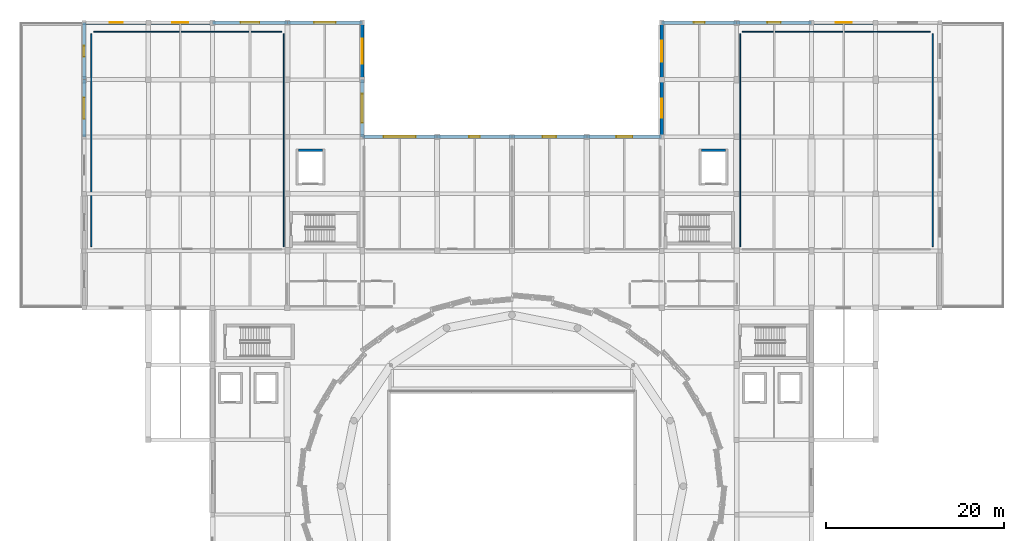
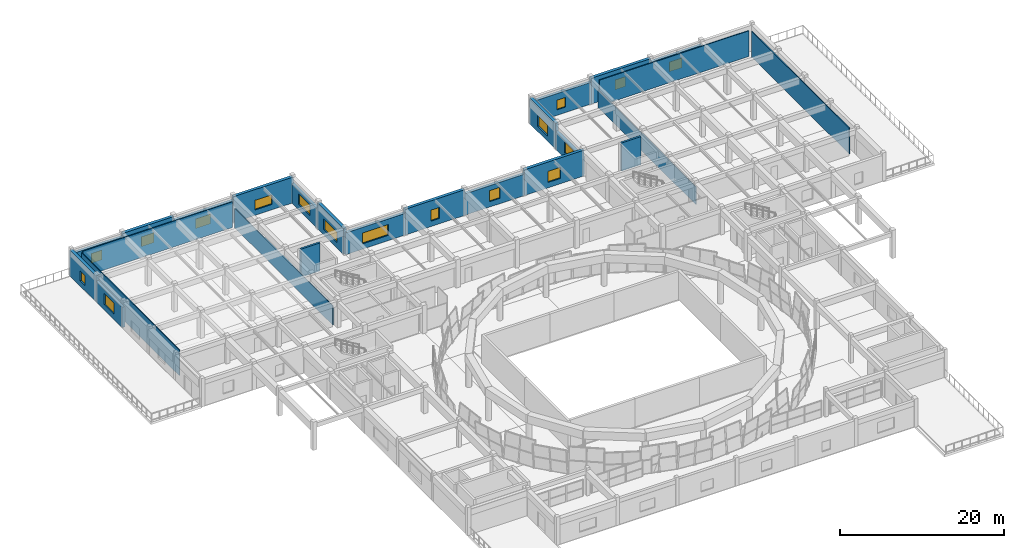
# One storey, part 32 of 40: 25 walls, 17 windows, 17 openings.
"""IFC4 building model written with IfcOpenShell, lengths in metres."""

import ifcopenshell
import ifcopenshell.guid

model = None  # the IFC model being written
_history = None  # IfcOwnerHistory: only IFC2X3 demands one
_inside = {}  # id of a spatial element -> (the spatial element, [elements in it])
_under = {}  # id of a project, library or spatial element -> (it, [spatial elements below it])
_declared = {}  # id of a project -> (the project, [libraries it declares])
_typed = {}  # id of a type object -> (the type object, [elements of that type])
_made_of = {}  # id of a material, layer set ... -> (it, [elements and type objects made of it])


def new_model(schema):
    """Start an empty IFC model of exactly this schema.

    Asked for "IFC4X3", IfcOpenShell would pick the latest addendum, in which some entities
    have other attributes; the version numbers below select the first issue.
    IFC2X3 requires an IfcOwnerHistory on every rooted entity: one is made here for all.
    """
    global model, _history
    if schema == "IFC4X3":
        model = ifcopenshell.file(schema_version=(4, 3, 0, 0))
    else:
        model = ifcopenshell.file(schema=schema)
    _inside.clear()
    _under.clear()
    _declared.clear()
    _typed.clear()
    _made_of.clear()
    _history = None
    if model.schema == "IFC2X3":
        org = make("IfcOrganization", Name="unknown")
        user = make(
            "IfcPersonAndOrganization",
            ThePerson=make("IfcPerson", FamilyName="unknown"),
            TheOrganization=org,
        )
        app = make(
            "IfcApplication",
            ApplicationDeveloper=org,
            Version="unknown",
            ApplicationFullName="unknown",
            ApplicationIdentifier="unknown",
        )
        _history = make(
            "IfcOwnerHistory",
            OwningUser=user,
            OwningApplication=app,
            ChangeAction="ADDED",
            CreationDate=0,
        )
    return model


def make(cls, **values):
    """One entity of the class cls with the attributes given. An attribute that is None is left unset."""
    return model.create_entity(
        cls, **{name: value for name, value in values.items() if value is not None}
    )


def rooted(cls, **values):
    """An entity with a GlobalId (a new one), such as an element, a storey or a relation."""
    return make(cls, GlobalId=ifcopenshell.guid.new(), OwnerHistory=_history, **values)


def si_unit(unit_type, name, prefix=None):
    """IfcSIUnit, for example si_unit("LENGTHUNIT", "METRE", prefix="MILLI")."""
    return make("IfcSIUnit", UnitType=unit_type, Prefix=prefix, Name=name)


def assignment(units):
    """IfcUnitAssignment: the units of a project."""
    return None if units is None else make("IfcUnitAssignment", Units=units)


def point(xyz):
    """IfcCartesianPoint."""
    return None if xyz is None else make("IfcCartesianPoint", Coordinates=xyz)


def direction(xyz):
    """IfcDirection."""
    return None if xyz is None else make("IfcDirection", DirectionRatios=xyz)


def frame(location, z_axis=None, x_axis=None):
    """IfcAxis2Placement3D, a coordinate frame: its origin and axes. An axis left out is left unset."""
    return make(
        "IfcAxis2Placement3D",
        Location=point(location),
        Axis=direction(z_axis),
        RefDirection=direction(x_axis),
    )


def frame_2d(location, x_axis=None):
    """IfcAxis2Placement2D, a coordinate frame in the plane: its origin and x axis."""
    return make(
        "IfcAxis2Placement2D", Location=point(location), RefDirection=direction(x_axis)
    )


def origin():
    """The frame at (0, 0, 0) with its axes left unset."""
    return frame((0.0, 0.0, 0.0))


def place(relative_to, where):
    """IfcLocalPlacement: puts the frame where relative to a parent placement (None: the world)."""
    return make(
        "IfcLocalPlacement", PlacementRelTo=relative_to, RelativePlacement=where
    )


def context(
    kind, dimensions, precision=None, world=None, true_north=None, identifier=None
):
    """IfcGeometricRepresentationContext, for example the 3D "Model" context."""
    return make(
        "IfcGeometricRepresentationContext",
        ContextIdentifier=identifier,
        ContextType=kind,
        CoordinateSpaceDimension=dimensions,
        Precision=precision,
        WorldCoordinateSystem=world,
        TrueNorth=true_north,
    )


def subcontext(parent, identifier, kind, view, scale=None):
    """IfcGeometricRepresentationSubContext, for example "Body" below "Model"."""
    return make(
        "IfcGeometricRepresentationSubContext",
        ContextIdentifier=identifier,
        ContextType=kind,
        ParentContext=parent,
        TargetScale=scale,
        TargetView=view,
    )


def project(units=None, contexts=None):
    """IfcProject with its units and contexts."""
    return rooted(
        "IfcProject",
        Name="project",
        RepresentationContexts=contexts,
        UnitsInContext=assignment(units),
    )


def spatial(cls, under=None, at=None, **own):
    """A site, building, storey or space (cls), placed at a placement, below another one or the project."""
    s = rooted(cls, ObjectPlacement=at, **own)
    if under is not None:
        _under.setdefault(under.id(), (under, []))[1].append(s)
    return s


def profile(cls, at=None, kind="AREA", **sizes):
    """A parametric profile (cls). Its sizes go by their IFC names, for example OverallWidth=200.0."""
    return make(cls, ProfileType=kind, Position=at, **sizes)


def rectangle(**sizes):
    """IfcRectangleProfileDef."""
    return profile("IfcRectangleProfileDef", **sizes)


def extrude(swept, where, along, depth):
    """IfcExtrudedAreaSolid: the profile swept, set in the frame where, extruded along a direction by depth."""
    return make(
        "IfcExtrudedAreaSolid",
        SweptArea=swept,
        Position=where,
        ExtrudedDirection=direction(along),
        Depth=depth,
    )


def shape(context_of_items, identifier, shape_type, items):
    """IfcShapeRepresentation: the items that make up one representation, for example the "Body"."""
    return make(
        "IfcShapeRepresentation",
        ContextOfItems=context_of_items,
        RepresentationIdentifier=identifier,
        RepresentationType=shape_type,
        Items=items,
    )


def material(Name=None, Category=None):
    """IfcMaterial."""
    return make("IfcMaterial", Name=Name, Category=Category)


def layer(
    of_material, thickness, ventilated=None, Name=None, Category=None, Priority=None
):
    """IfcMaterialLayer: one layer of a wall or slab, of a material (None: an air gap)."""
    return make(
        "IfcMaterialLayer",
        Material=of_material,
        LayerThickness=thickness,
        IsVentilated=ventilated,
        Name=Name,
        Category=Category,
        Priority=Priority,
    )


def layer_set(layers, Name=None):
    """IfcMaterialLayerSet."""
    return make("IfcMaterialLayerSet", MaterialLayers=layers, LayerSetName=Name)


def made_of(thing, what):
    """Note that an element or type object is made of a material, layer set ...; save() writes the relation."""
    if what is not None:
        _made_of.setdefault(what.id(), (what, []))[1].append(thing)
    return thing


def type_object(cls, material=None, **own):
    """A type object (cls), such as IfcWallType, which elements share."""
    return made_of(rooted(cls, **own), material)


def element(
    cls,
    number,
    at=None,
    inside=None,
    cuts=None,
    type_object=None,
    material=None,
    context=None,
    identifier="Body",
    shape_type=None,
    held_by="IfcProductDefinitionShape",
    body=None,
    shapes=None,
    **own,
):
    """One element of the class cls, such as IfcWall. Its Tag is "e" and its number.

    at: its placement. inside: the storey or other place that contains it. cuts: it is an
    opening in that element (IfcRelVoidsElement). A single representation is given by context,
    identifier, shape_type and body (its items); several are given by shapes. held_by: the class
    of the entity that holds the representations. save() writes the other relations.
    """
    e = rooted(cls, Tag="e%d" % number, ObjectPlacement=at, **own)
    if body is not None:
        shapes = [shape(context, identifier, shape_type, body)]
    if shapes is not None:
        e.Representation = make(held_by, Representations=shapes)
    if inside is not None:
        _inside.setdefault(inside.id(), (inside, []))[1].append(e)
    if cuts is not None:
        rooted(
            "IfcRelVoidsElement", RelatingBuildingElement=cuts, RelatedOpeningElement=e
        )
    if type_object is not None:
        _typed.setdefault(type_object.id(), (type_object, []))[1].append(e)
    return made_of(e, material)


def fill(opening, filler):
    """IfcRelFillsElement: the door or window that sits in an opening."""
    return rooted(
        "IfcRelFillsElement",
        RelatingOpeningElement=opening,
        RelatedBuildingElement=filler,
    )


def aggregate(whole, parts):
    """IfcRelAggregates: a whole, such as a stair, and the parts it consists of."""
    return rooted("IfcRelAggregates", RelatingObject=whole, RelatedObjects=parts)


def save(model, path):
    """Write the relations noted so far, then the file.

    IfcRelAggregates (storeys below a building ...), IfcRelContainedInSpatialStructure (elements
    in a storey), IfcRelDefinesByType, IfcRelAssociatesMaterial and IfcRelDeclares: one each for
    every whole, place, type object, material and project.
    """
    for whole, parts in _under.values():
        aggregate(whole, parts)
    for where, things in _inside.values():
        rooted(
            "IfcRelContainedInSpatialStructure",
            RelatedElements=things,
            RelatingStructure=where,
        )
    for kind, things in _typed.values():
        rooted("IfcRelDefinesByType", RelatedObjects=things, RelatingType=kind)
    for what, things in _made_of.values():
        rooted("IfcRelAssociatesMaterial", RelatedObjects=things, RelatingMaterial=what)
    for by, libraries in _declared.values():
        rooted("IfcRelDeclares", RelatingContext=by, RelatedDefinitions=libraries)
    model.write(path)


model = new_model("IFC4")

# Units and contexts
model_context = context("Model", 3, precision=1e-05, world=origin(), true_north=direction((0.0, 1.0)))
body_context = subcontext(model_context, "Body", "Model", "MODEL_VIEW")
ifc_project = project(units=[si_unit("LENGTHUNIT", "METRE"), si_unit("AREAUNIT", "SQUARE_METRE"), si_unit("VOLUMEUNIT", "CUBIC_METRE"), si_unit("PLANEANGLEUNIT", "RADIAN"), si_unit("MASSUNIT", "GRAM", prefix="KILO")], contexts=[model_context])

# Site, building, storey
site_placement = place(None, origin())
site = spatial("IfcSite", under=ifc_project, at=site_placement, CompositionType="ELEMENT")
building_placement = place(site_placement, origin())
building = spatial("IfcBuilding", under=site, at=building_placement, Name="Korsvaeld Concert Hall", CompositionType="ELEMENT")
storey_placement = place(building_placement, frame((0.0, 0.0, 13.199951171875)))
storey = spatial("IfcBuildingStorey", under=building, at=storey_placement, Name="L03", CompositionType="ELEMENT", Elevation=13.199951171875)

# Wall, opening, window
ifc_material_1 = material(Name="Obernkirchener buff sandstone rainscreen on Concrete C35/45", Category="masonry")
ifc_layer_1 = layer(ifc_material_1, 0.389892578125)
ifc_layer_set_1 = layer_set([ifc_layer_1], Name="Obernkirchener buff sandstone rainscreen on Concrete C35/45")
wall_type_1 = type_object("IfcWallType", Name="WL-EXT-BUFF-390", PredefinedType="STANDARD", material=ifc_layer_set_1)
wall_1_placement = place(storey_placement, frame((36.0, 102.39990234375, 0.0), z_axis=(0.0, 0.0, 1.0), x_axis=(0.0, 1.0, 0.0)))
wall_1 = element("IfcWall", 1, at=wall_1_placement, inside=storey, type_object=wall_type_1, Name="Exterior sandstone wall L03-295", PredefinedType="STANDARD", context=body_context, shape_type="SweptSolid", body=[
    extrude(rectangle(XDim=6.400146484375, YDim=0.389892578125, at=frame_2d((3.2001953125, 0.0))), origin(), (0.0, 0.0, 1.0), 3.0400390625),
])
opening_1_placement = place(wall_1_placement, frame((2.0, 0.0, 0.800048828125)))
opening_1 = element("IfcOpeningElement", 2, at=opening_1_placement, cuts=wall_1, Name="Opening WN-05", PredefinedType="OPENING", context=body_context, shape_type="SweptSolid", body=[
    extrude(rectangle(XDim=2.39990234375, YDim=1.64990234375, at=frame_2d((1.199951171875, 0.824951171875))), frame((0.0, 0.205078125, 0.0), z_axis=(0.0, -1.0, 0.0), x_axis=(1.0, 0.0, 0.0)), (0.0, 0.0, 1.0), 0.409912109375),
])
ifc_material_2 = material(Name="Anodised bronze frame with acoustic triple glazing", Category="glass")
window_type_1 = type_object("IfcWindowType", Name="WIN-AC-240x165", PartitioningType="TRIPLE_PANEL_VERTICAL", PredefinedType="WINDOW", material=ifc_material_2)
window_1_placement = place(opening_1_placement, origin())
window_1 = element("IfcWindow", 3, at=window_1_placement, inside=storey, type_object=window_type_1, Name="Acoustic triple-glazed window L03-190", OverallHeight=1.64990234375, OverallWidth=2.39990234375, PartitioningType="TRIPLE_PANEL_VERTICAL", PredefinedType="WINDOW", context=body_context, shape_type="SweptSolid", body=[
    extrude(rectangle(XDim=2.39990234375, YDim=1.64990234375, at=frame_2d((1.199951171875, 0.824951171875))), frame((0.0, 0.030029296875, 0.0), z_axis=(0.0, -1.0, 0.0), x_axis=(1.0, 0.0, 0.0)), (0.0, 0.0, 1.0), 0.06005859375),
])
fill(opening_1, window_1)

wall_2_placement = place(storey_placement, frame((36.0, 115.199951171875, 0.0), z_axis=(0.0, 0.0, 1.0), x_axis=(1.0, 0.0, 0.0)))
wall_2 = element("IfcWall", 4, at=wall_2_placement, inside=storey, type_object=wall_type_1, Name="Exterior sandstone wall L03-297", PredefinedType="STANDARD", context=body_context, shape_type="SweptSolid", body=[
    extrude(rectangle(XDim=7.199951171875, YDim=0.389892578125, at=frame_2d((3.60009765625, 0.0))), origin(), (0.0, 0.0, 1.0), 3.2900390625),
])
opening_2_placement = place(wall_2_placement, frame((2.85009765625, 0.0, 0.800048828125)))
opening_2 = element("IfcOpeningElement", 5, at=opening_2_placement, cuts=wall_2, Name="Opening WN-07", PredefinedType="OPENING", context=body_context, shape_type="SweptSolid", body=[
    extrude(rectangle(XDim=1.5, YDim=1.449951171875, at=frame_2d((0.75, 0.72509765625))), frame((0.0, 0.205078125, 0.0), z_axis=(0.0, -1.0, 0.0), x_axis=(1.0, 0.0, 0.0)), (0.0, 0.0, 1.0), 0.409912109375),
])
window_type_2 = type_object("IfcWindowType", Name="WIN-AC-150x145", PartitioningType="SINGLE_PANEL", PredefinedType="WINDOW", material=ifc_material_2)
window_2_placement = place(opening_2_placement, origin())
window_2 = element("IfcWindow", 6, at=window_2_placement, inside=storey, type_object=window_type_2, Name="Acoustic triple-glazed window L03-192", OverallHeight=1.449951171875, OverallWidth=1.5, PartitioningType="SINGLE_PANEL", PredefinedType="WINDOW", context=body_context, shape_type="SweptSolid", body=[
    extrude(rectangle(XDim=1.5, YDim=1.449951171875, at=frame_2d((0.75, 0.72509765625))), frame((0.0, 0.030029296875, 0.0), z_axis=(0.0, -1.0, 0.0), x_axis=(1.0, 0.0, 0.0)), (0.0, 0.0, 1.0), 0.06005859375),
])
fill(opening_2, window_2)

wall_3_placement = place(storey_placement, frame((50.39990234375, 115.199951171875, 0.0), z_axis=(0.0, 0.0, 1.0), x_axis=(1.0, 0.0, 0.0)))
wall_3 = element("IfcWall", 7, at=wall_3_placement, inside=storey, type_object=wall_type_1, Name="Exterior sandstone wall L03-299", PredefinedType="STANDARD", context=body_context, shape_type="SweptSolid", body=[
    extrude(rectangle(XDim=8.400146484375, YDim=0.389892578125, at=frame_2d((4.2001953125, 0.0))), origin(), (0.0, 0.0, 1.0), 3.239990234375),
])
opening_3_placement = place(wall_3_placement, frame((3.14990234375, 0.0, 0.800048828125)))
opening_3 = element("IfcOpeningElement", 8, at=opening_3_placement, cuts=wall_3, Name="Opening WN-09", PredefinedType="OPENING", context=body_context, shape_type="SweptSolid", body=[
    extrude(rectangle(XDim=2.10009765625, YDim=1.449951171875, at=frame_2d((1.050048828125, 0.72509765625))), frame((0.0, 0.205078125, 0.0), z_axis=(0.0, -1.0, 0.0), x_axis=(1.0, 0.0, 0.0)), (0.0, 0.0, 1.0), 0.409912109375),
])
window_type_3 = type_object("IfcWindowType", Name="WIN-AC-210x145", PartitioningType="SINGLE_PANEL", PredefinedType="WINDOW", material=ifc_material_2)
window_3_placement = place(opening_3_placement, origin())
window_3 = element("IfcWindow", 9, at=window_3_placement, inside=storey, type_object=window_type_3, Name="Acoustic triple-glazed window L03-194", OverallHeight=1.449951171875, OverallWidth=2.10009765625, PartitioningType="SINGLE_PANEL", PredefinedType="WINDOW", context=body_context, shape_type="SweptSolid", body=[
    extrude(rectangle(XDim=2.10009765625, YDim=1.449951171875, at=frame_2d((1.050048828125, 0.72509765625))), frame((0.0, 0.030029296875, 0.0), z_axis=(0.0, -1.0, 0.0), x_axis=(1.0, 0.0, 0.0)), (0.0, 0.0, 1.0), 0.06005859375),
])
fill(opening_3, window_3)

wall_4_placement = place(storey_placement, frame((67.199951171875, 115.199951171875, 0.0), z_axis=(0.0, 0.0, 1.0), x_axis=(0.0, -1.0, 0.0)))
wall_4 = element("IfcWall", 10, at=wall_4_placement, inside=storey, type_object=wall_type_1, Name="Exterior sandstone wall L03-301", PredefinedType="STANDARD", context=body_context, shape_type="SweptSolid", body=[
    extrude(rectangle(XDim=6.39990234375, YDim=0.389892578125, at=frame_2d((3.199951171875, 0.0))), origin(), (0.0, 0.0, 1.0), 2.89013671875),
])
opening_4_placement = place(wall_4_placement, frame((1.800048828125, 0.0, 0.800048828125)))
opening_4 = element("IfcOpeningElement", 11, at=opening_4_placement, cuts=wall_4, Name="Opening WN-14", PredefinedType="OPENING", context=body_context, shape_type="SweptSolid", body=[
    extrude(rectangle(XDim=2.800048828125, YDim=1.60009765625, at=frame_2d((1.39990234375, 0.800048828125))), frame((0.0, 0.205078125, 0.0), z_axis=(0.0, -1.0, 0.0), x_axis=(1.0, 0.0, 0.0)), (0.0, 0.0, 1.0), 0.409912109375),
])
window_type_4 = type_object("IfcWindowType", Name="WIN-AC-280x160", PartitioningType="TRIPLE_PANEL_VERTICAL", PredefinedType="WINDOW", material=ifc_material_2)
window_4_placement = place(opening_4_placement, origin())
window_4 = element("IfcWindow", 12, at=window_4_placement, inside=storey, type_object=window_type_4, Name="Acoustic triple-glazed window L03-196", OverallHeight=1.60009765625, OverallWidth=2.800048828125, PartitioningType="TRIPLE_PANEL_VERTICAL", PredefinedType="WINDOW", context=body_context, shape_type="SweptSolid", body=[
    extrude(rectangle(XDim=2.800048828125, YDim=1.60009765625, at=frame_2d((1.39990234375, 0.800048828125))), frame((0.0, 0.030029296875, 0.0), z_axis=(0.0, -1.0, 0.0), x_axis=(1.0, 0.0, 0.0)), (0.0, 0.0, 1.0), 0.06005859375),
])
fill(opening_4, window_4)

wall_5_placement = place(storey_placement, frame((67.199951171875, 102.39990234375, 0.0), z_axis=(0.0, 0.0, 1.0), x_axis=(1.0, 0.0, 0.0)))
wall_5 = element("IfcWall", 13, at=wall_5_placement, inside=storey, type_object=wall_type_1, Name="Exterior sandstone wall L03-303", PredefinedType="STANDARD", context=body_context, shape_type="SweptSolid", body=[
    extrude(rectangle(XDim=8.400146484375, YDim=0.389892578125, at=frame_2d((4.2001953125, 0.0))), origin(), (0.0, 0.0, 1.0), 3.239990234375),
])
opening_5_placement = place(wall_5_placement, frame((2.39990234375, 0.0, 0.800048828125)))
opening_5 = element("IfcOpeningElement", 14, at=opening_5_placement, cuts=wall_5, Name="Opening WN-16", PredefinedType="OPENING", context=body_context, shape_type="SweptSolid", body=[
    extrude(rectangle(XDim=3.60009765625, YDim=1.60009765625, at=frame_2d((1.800048828125, 0.800048828125))), frame((0.0, 0.205078125, 0.0), z_axis=(0.0, -1.0, 0.0), x_axis=(1.0, 0.0, 0.0)), (0.0, 0.0, 1.0), 0.409912109375),
])
window_type_5 = type_object("IfcWindowType", Name="WIN-AC-360x160", PartitioningType="TRIPLE_PANEL_VERTICAL", PredefinedType="WINDOW", material=ifc_material_2)
window_5_placement = place(opening_5_placement, origin())
window_5 = element("IfcWindow", 15, at=window_5_placement, inside=storey, type_object=window_type_5, Name="Acoustic triple-glazed window L03-198", OverallHeight=1.60009765625, OverallWidth=3.60009765625, PartitioningType="TRIPLE_PANEL_VERTICAL", PredefinedType="WINDOW", context=body_context, shape_type="SweptSolid", body=[
    extrude(rectangle(XDim=3.60009765625, YDim=1.60009765625, at=frame_2d((1.800048828125, 0.800048828125))), frame((0.0, 0.030029296875, 0.0), z_axis=(0.0, -1.0, 0.0), x_axis=(1.0, 0.0, 0.0)), (0.0, 0.0, 1.0), 0.06005859375),
])
fill(opening_5, window_5)

wall_6_placement = place(storey_placement, frame((84.0, 102.39990234375, 0.0), z_axis=(0.0, 0.0, 1.0), x_axis=(1.0, 0.0, 0.0)))
wall_6 = element("IfcWall", 16, at=wall_6_placement, inside=storey, type_object=wall_type_1, Name="Exterior sandstone wall L03-305", PredefinedType="STANDARD", context=body_context, shape_type="SweptSolid", body=[
    extrude(rectangle(XDim=8.39990234375, YDim=0.389892578125, at=frame_2d((4.199951171875, 0.0))), origin(), (0.0, 0.0, 1.0), 3.18994140625),
])
opening_6_placement = place(wall_6_placement, frame((3.449951171875, 0.0, 0.800048828125)))
opening_6 = element("IfcOpeningElement", 17, at=opening_6_placement, cuts=wall_6, Name="Opening WN-02", PredefinedType="OPENING", context=body_context, shape_type="SweptSolid", body=[
    extrude(rectangle(XDim=1.5, YDim=1.64990234375, at=frame_2d((0.75, 0.824951171875))), frame((0.0, 0.205078125, 0.0), z_axis=(0.0, -1.0, 0.0), x_axis=(1.0, 0.0, 0.0)), (0.0, 0.0, 1.0), 0.409912109375),
])
window_type_6 = type_object("IfcWindowType", Name="WIN-AC-150x165", PartitioningType="SINGLE_PANEL", PredefinedType="WINDOW", material=ifc_material_2)
window_6_placement = place(opening_6_placement, origin())
window_6 = element("IfcWindow", 18, at=window_6_placement, inside=storey, type_object=window_type_6, Name="Acoustic triple-glazed window L03-200", OverallHeight=1.64990234375, OverallWidth=1.5, PartitioningType="SINGLE_PANEL", PredefinedType="WINDOW", context=body_context, shape_type="SweptSolid", body=[
    extrude(rectangle(XDim=1.5, YDim=1.64990234375, at=frame_2d((0.75, 0.824951171875))), frame((0.0, 0.030029296875, 0.0), z_axis=(0.0, -1.0, 0.0), x_axis=(1.0, 0.0, 0.0)), (0.0, 0.0, 1.0), 0.06005859375),
])
fill(opening_6, window_6)

wall_7_placement = place(storey_placement, frame((100.800048828125, 102.39990234375, 0.0), z_axis=(0.0, 0.0, 1.0), x_axis=(0.0, 1.0, 0.0)))
wall_7 = element("IfcWall", 19, at=wall_7_placement, inside=storey, type_object=wall_type_1, Name="Exterior sandstone wall L03-307", PredefinedType="STANDARD", context=body_context, shape_type="SweptSolid", body=[
    extrude(rectangle(XDim=6.400146484375, YDim=0.389892578125, at=frame_2d((3.2001953125, 0.0))), origin(), (0.0, 0.0, 1.0), 2.68994140625),
])
opening_7_placement = place(wall_7_placement, frame((2.14990234375, 0.0, 0.800048828125)))
opening_7 = element("IfcOpeningElement", 20, at=opening_7_placement, cuts=wall_7, Name="Opening WN-04", PredefinedType="OPENING", context=body_context, shape_type="SweptSolid", body=[
    extrude(rectangle(XDim=2.10009765625, YDim=1.64990234375, at=frame_2d((1.050048828125, 0.824951171875))), frame((0.0, 0.205078125, 0.0), z_axis=(0.0, -1.0, 0.0), x_axis=(1.0, 0.0, 0.0)), (0.0, 0.0, 1.0), 0.409912109375),
])
window_type_7 = type_object("IfcWindowType", Name="WIN-AC-210x165", PartitioningType="SINGLE_PANEL", PredefinedType="WINDOW", material=ifc_material_2)
window_7_placement = place(opening_7_placement, origin())
window_7 = element("IfcWindow", 21, at=window_7_placement, inside=storey, type_object=window_type_7, Name="Acoustic triple-glazed window L03-202", OverallHeight=1.64990234375, OverallWidth=2.10009765625, PartitioningType="SINGLE_PANEL", PredefinedType="WINDOW", context=body_context, shape_type="SweptSolid", body=[
    extrude(rectangle(XDim=2.10009765625, YDim=1.64990234375, at=frame_2d((1.050048828125, 0.824951171875))), frame((0.0, 0.030029296875, 0.0), z_axis=(0.0, -1.0, 0.0), x_axis=(1.0, 0.0, 0.0)), (0.0, 0.0, 1.0), 0.06005859375),
])
fill(opening_7, window_7)

wall_8_placement = place(storey_placement, frame((100.800048828125, 115.199951171875, 0.0), z_axis=(0.0, 0.0, 1.0), x_axis=(1.0, 0.0, 0.0)))
wall_8 = element("IfcWall", 22, at=wall_8_placement, inside=storey, type_object=wall_type_1, Name="Exterior sandstone wall L03-309", PredefinedType="STANDARD", context=body_context, shape_type="SweptSolid", body=[
    extrude(rectangle(XDim=8.39990234375, YDim=0.389892578125, at=frame_2d((4.199951171875, 0.0))), origin(), (0.0, 0.0, 1.0), 3.239990234375),
])
opening_8_placement = place(wall_8_placement, frame((3.60009765625, 0.0, 0.800048828125)))
opening_8 = element("IfcOpeningElement", 23, at=opening_8_placement, cuts=wall_8, Name="Opening WN-06", PredefinedType="OPENING", context=body_context, shape_type="SweptSolid", body=[
    extrude(rectangle(XDim=1.199951171875, YDim=1.449951171875, at=frame_2d((0.60009765625, 0.72509765625))), frame((0.0, 0.205078125, 0.0), z_axis=(0.0, -1.0, 0.0), x_axis=(1.0, 0.0, 0.0)), (0.0, 0.0, 1.0), 0.409912109375),
])
window_type_8 = type_object("IfcWindowType", Name="WIN-AC-120x145", PartitioningType="SINGLE_PANEL", PredefinedType="WINDOW", material=ifc_material_2)
window_8_placement = place(opening_8_placement, origin())
window_8 = element("IfcWindow", 24, at=window_8_placement, inside=storey, type_object=window_type_8, Name="Acoustic triple-glazed window L03-204", OverallHeight=1.449951171875, OverallWidth=1.199951171875, PartitioningType="SINGLE_PANEL", PredefinedType="WINDOW", context=body_context, shape_type="SweptSolid", body=[
    extrude(rectangle(XDim=1.199951171875, YDim=1.449951171875, at=frame_2d((0.60009765625, 0.72509765625))), frame((0.0, 0.030029296875, 0.0), z_axis=(0.0, -1.0, 0.0), x_axis=(1.0, 0.0, 0.0)), (0.0, 0.0, 1.0), 0.06005859375),
])
fill(opening_8, window_8)

wall_9_placement = place(storey_placement, frame((117.60009765625, 115.199951171875, 0.0), z_axis=(0.0, 0.0, 1.0), x_axis=(1.0, 0.0, 0.0)))
wall_9 = element("IfcWall", 25, at=wall_9_placement, inside=storey, type_object=wall_type_1, Name="Exterior sandstone wall L03-311", PredefinedType="STANDARD", context=body_context, shape_type="SweptSolid", body=[
    extrude(rectangle(XDim=7.199951171875, YDim=0.389892578125, at=frame_2d((3.60009765625, 0.0))), origin(), (0.0, 0.0, 1.0), 3.2900390625),
])
opening_9_placement = place(wall_9_placement, frame((2.699951171875, 0.0, 0.800048828125)))
opening_9 = element("IfcOpeningElement", 26, at=opening_9_placement, cuts=wall_9, Name="Opening WN-08", PredefinedType="OPENING", context=body_context, shape_type="SweptSolid", body=[
    extrude(rectangle(XDim=1.800048828125, YDim=1.449951171875, at=frame_2d((0.89990234375, 0.72509765625))), frame((0.0, 0.205078125, 0.0), z_axis=(0.0, -1.0, 0.0), x_axis=(1.0, 0.0, 0.0)), (0.0, 0.0, 1.0), 0.409912109375),
])
window_type_9 = type_object("IfcWindowType", Name="WIN-AC-180x145", PartitioningType="SINGLE_PANEL", PredefinedType="WINDOW", material=ifc_material_2)
window_9_placement = place(opening_9_placement, origin())
window_9 = element("IfcWindow", 27, at=window_9_placement, inside=storey, type_object=window_type_9, Name="Acoustic triple-glazed window L03-206", OverallHeight=1.449951171875, OverallWidth=1.800048828125, PartitioningType="SINGLE_PANEL", PredefinedType="WINDOW", context=body_context, shape_type="SweptSolid", body=[
    extrude(rectangle(XDim=1.800048828125, YDim=1.449951171875, at=frame_2d((0.89990234375, 0.72509765625))), frame((0.0, 0.030029296875, 0.0), z_axis=(0.0, -1.0, 0.0), x_axis=(1.0, 0.0, 0.0)), (0.0, 0.0, 1.0), 0.06005859375),
])
fill(opening_9, window_9)

ifc_material_3 = material(Name="Bornholm Nexo rose-red sandstone rainscreen on Concrete C35/45", Category="masonry")
ifc_layer_2 = layer(ifc_material_3, 0.419921875)
ifc_layer_set_2 = layer_set([ifc_layer_2], Name="Bornholm Nexo rose-red sandstone rainscreen on Concrete C35/45")
wall_type_2 = type_object("IfcWallType", Name="WL-EXT-NEXO-420", PredefinedType="STANDARD", material=ifc_layer_set_2)
wall_10_placement = place(storey_placement, frame((36.0, 108.800048828125, 0.0), z_axis=(0.0, 0.0, 1.0), x_axis=(0.0, 1.0, 0.0)))
wall_10 = element("IfcWall", 28, at=wall_10_placement, inside=storey, type_object=wall_type_2, Name="Exterior sandstone wall L03-296", PredefinedType="STANDARD", context=body_context, shape_type="SweptSolid", body=[
    extrude(rectangle(XDim=6.39990234375, YDim=0.419921875, at=frame_2d((3.199951171875, 0.0))), origin(), (0.0, 0.0, 1.0), 3.840087890625),
])
opening_10_placement = place(wall_10_placement, frame((2.60009765625, 0.0, 0.800048828125)))
opening_10 = element("IfcOpeningElement", 29, at=opening_10_placement, cuts=wall_10, Name="Opening WN-06", PredefinedType="OPENING", context=body_context, shape_type="SweptSolid", body=[
    extrude(rectangle(XDim=1.199951171875, YDim=1.449951171875, at=frame_2d((0.60009765625, 0.72509765625))), frame((0.0, 0.219970703125, 0.0), z_axis=(0.0, -1.0, 0.0), x_axis=(1.0, 0.0, 0.0)), (0.0, 0.0, 1.0), 0.43994140625),
])
window_10_placement = place(opening_10_placement, origin())
window_10 = element("IfcWindow", 30, at=window_10_placement, inside=storey, type_object=window_type_8, Name="Acoustic triple-glazed window L03-191", OverallHeight=1.449951171875, OverallWidth=1.199951171875, PartitioningType="SINGLE_PANEL", PredefinedType="WINDOW", context=body_context, shape_type="SweptSolid", body=[
    extrude(rectangle(XDim=1.199951171875, YDim=1.449951171875, at=frame_2d((0.60009765625, 0.72509765625))), frame((0.0, 0.030029296875, 0.0), z_axis=(0.0, -1.0, 0.0), x_axis=(1.0, 0.0, 0.0)), (0.0, 0.0, 1.0), 0.06005859375),
])
fill(opening_10, window_10)

wall_11_placement = place(storey_placement, frame((43.199951171875, 115.199951171875, 0.0), z_axis=(0.0, 0.0, 1.0), x_axis=(1.0, 0.0, 0.0)))
wall_11 = element("IfcWall", 31, at=wall_11_placement, inside=storey, type_object=wall_type_2, Name="Exterior sandstone wall L03-298", PredefinedType="STANDARD", context=body_context, shape_type="SweptSolid", body=[
    extrude(rectangle(XDim=7.199951171875, YDim=0.419921875, at=frame_2d((3.60009765625, 0.0))), origin(), (0.0, 0.0, 1.0), 3.840087890625),
])
opening_11_placement = place(wall_11_placement, frame((2.699951171875, 0.0, 0.800048828125)))
opening_11 = element("IfcOpeningElement", 32, at=opening_11_placement, cuts=wall_11, Name="Opening WN-08", PredefinedType="OPENING", context=body_context, shape_type="SweptSolid", body=[
    extrude(rectangle(XDim=1.800048828125, YDim=1.449951171875, at=frame_2d((0.89990234375, 0.72509765625))), frame((0.0, 0.219970703125, 0.0), z_axis=(0.0, -1.0, 0.0), x_axis=(1.0, 0.0, 0.0)), (0.0, 0.0, 1.0), 0.43994140625),
])
window_11_placement = place(opening_11_placement, origin())
window_11 = element("IfcWindow", 33, at=window_11_placement, inside=storey, type_object=window_type_9, Name="Acoustic triple-glazed window L03-193", OverallHeight=1.449951171875, OverallWidth=1.800048828125, PartitioningType="SINGLE_PANEL", PredefinedType="WINDOW", context=body_context, shape_type="SweptSolid", body=[
    extrude(rectangle(XDim=1.800048828125, YDim=1.449951171875, at=frame_2d((0.89990234375, 0.72509765625))), frame((0.0, 0.030029296875, 0.0), z_axis=(0.0, -1.0, 0.0), x_axis=(1.0, 0.0, 0.0)), (0.0, 0.0, 1.0), 0.06005859375),
])
fill(opening_11, window_11)

wall_12_placement = place(storey_placement, frame((58.800048828125, 115.199951171875, 0.0), z_axis=(0.0, 0.0, 1.0), x_axis=(1.0, 0.0, 0.0)))
wall_12 = element("IfcWall", 34, at=wall_12_placement, inside=storey, type_object=wall_type_2, Name="Exterior sandstone wall L03-300", PredefinedType="STANDARD", context=body_context, shape_type="SweptSolid", body=[
    extrude(rectangle(XDim=8.39990234375, YDim=0.419921875, at=frame_2d((4.199951171875, 0.0))), origin(), (0.0, 0.0, 1.0), 3.840087890625),
])
opening_12_placement = place(wall_12_placement, frame((3.0, 0.0, 0.800048828125)))
opening_12 = element("IfcOpeningElement", 35, at=opening_12_placement, cuts=wall_12, Name="Opening WN-10", PredefinedType="OPENING", context=body_context, shape_type="SweptSolid", body=[
    extrude(rectangle(XDim=2.39990234375, YDim=1.449951171875, at=frame_2d((1.199951171875, 0.72509765625))), frame((0.0, 0.219970703125, 0.0), z_axis=(0.0, -1.0, 0.0), x_axis=(1.0, 0.0, 0.0)), (0.0, 0.0, 1.0), 0.43994140625),
])
window_type_10 = type_object("IfcWindowType", Name="WIN-AC-240x145", PartitioningType="TRIPLE_PANEL_VERTICAL", PredefinedType="WINDOW", material=ifc_material_2)
window_12_placement = place(opening_12_placement, origin())
window_12 = element("IfcWindow", 36, at=window_12_placement, inside=storey, type_object=window_type_10, Name="Acoustic triple-glazed window L03-195", OverallHeight=1.449951171875, OverallWidth=2.39990234375, PartitioningType="TRIPLE_PANEL_VERTICAL", PredefinedType="WINDOW", context=body_context, shape_type="SweptSolid", body=[
    extrude(rectangle(XDim=2.39990234375, YDim=1.449951171875, at=frame_2d((1.199951171875, 0.72509765625))), frame((0.0, 0.030029296875, 0.0), z_axis=(0.0, -1.0, 0.0), x_axis=(1.0, 0.0, 0.0)), (0.0, 0.0, 1.0), 0.06005859375),
])
fill(opening_12, window_12)

wall_13_placement = place(storey_placement, frame((67.199951171875, 108.800048828125, 0.0), z_axis=(0.0, 0.0, 1.0), x_axis=(0.0, -1.0, 0.0)))
wall_13 = element("IfcWall", 37, at=wall_13_placement, inside=storey, type_object=wall_type_2, Name="Exterior sandstone wall L03-302", PredefinedType="STANDARD", context=body_context, shape_type="SweptSolid", body=[
    extrude(rectangle(XDim=6.400146484375, YDim=0.419921875, at=frame_2d((3.2001953125, 0.0))), origin(), (0.0, 0.0, 1.0), 3.840087890625),
])
opening_13_placement = place(wall_13_placement, frame((1.60009765625, 0.0, 0.800048828125)))
opening_13 = element("IfcOpeningElement", 38, at=opening_13_placement, cuts=wall_13, Name="Opening WN-15", PredefinedType="OPENING", context=body_context, shape_type="SweptSolid", body=[
    extrude(rectangle(XDim=3.199951171875, YDim=1.60009765625, at=frame_2d((1.60009765625, 0.800048828125))), frame((0.0, 0.219970703125, 0.0), z_axis=(0.0, -1.0, 0.0), x_axis=(1.0, 0.0, 0.0)), (0.0, 0.0, 1.0), 0.43994140625),
])
window_type_11 = type_object("IfcWindowType", Name="WIN-AC-320x160", PartitioningType="TRIPLE_PANEL_VERTICAL", PredefinedType="WINDOW", material=ifc_material_2)
window_13_placement = place(opening_13_placement, origin())
window_13 = element("IfcWindow", 39, at=window_13_placement, inside=storey, type_object=window_type_11, Name="Acoustic triple-glazed window L03-197", OverallHeight=1.60009765625, OverallWidth=3.199951171875, PartitioningType="TRIPLE_PANEL_VERTICAL", PredefinedType="WINDOW", context=body_context, shape_type="SweptSolid", body=[
    extrude(rectangle(XDim=3.199951171875, YDim=1.60009765625, at=frame_2d((1.60009765625, 0.800048828125))), frame((0.0, 0.030029296875, 0.0), z_axis=(0.0, -1.0, 0.0), x_axis=(1.0, 0.0, 0.0)), (0.0, 0.0, 1.0), 0.06005859375),
])
fill(opening_13, window_13)

wall_14_placement = place(storey_placement, frame((75.60009765625, 102.39990234375, 0.0), z_axis=(0.0, 0.0, 1.0), x_axis=(1.0, 0.0, 0.0)))
wall_14 = element("IfcWall", 40, at=wall_14_placement, inside=storey, type_object=wall_type_2, Name="Exterior sandstone wall L03-304", PredefinedType="STANDARD", context=body_context, shape_type="SweptSolid", body=[
    extrude(rectangle(XDim=8.39990234375, YDim=0.419921875, at=frame_2d((4.199951171875, 0.0))), origin(), (0.0, 0.0, 1.0), 3.840087890625),
])
opening_14_placement = place(wall_14_placement, frame((3.60009765625, 0.0, 0.800048828125)))
opening_14 = element("IfcOpeningElement", 41, at=opening_14_placement, cuts=wall_14, Name="Opening WN-01", PredefinedType="OPENING", context=body_context, shape_type="SweptSolid", body=[
    extrude(rectangle(XDim=1.199951171875, YDim=1.64990234375, at=frame_2d((0.60009765625, 0.824951171875))), frame((0.0, 0.219970703125, 0.0), z_axis=(0.0, -1.0, 0.0), x_axis=(1.0, 0.0, 0.0)), (0.0, 0.0, 1.0), 0.43994140625),
])
window_type_12 = type_object("IfcWindowType", Name="WIN-AC-120x165", PartitioningType="SINGLE_PANEL", PredefinedType="WINDOW", material=ifc_material_2)
window_14_placement = place(opening_14_placement, origin())
window_14 = element("IfcWindow", 42, at=window_14_placement, inside=storey, type_object=window_type_12, Name="Acoustic triple-glazed window L03-199", OverallHeight=1.64990234375, OverallWidth=1.199951171875, PartitioningType="SINGLE_PANEL", PredefinedType="WINDOW", context=body_context, shape_type="SweptSolid", body=[
    extrude(rectangle(XDim=1.199951171875, YDim=1.64990234375, at=frame_2d((0.60009765625, 0.824951171875))), frame((0.0, 0.030029296875, 0.0), z_axis=(0.0, -1.0, 0.0), x_axis=(1.0, 0.0, 0.0)), (0.0, 0.0, 1.0), 0.06005859375),
])
fill(opening_14, window_14)

wall_15_placement = place(storey_placement, frame((92.39990234375, 102.39990234375, 0.0), z_axis=(0.0, 0.0, 1.0), x_axis=(1.0, 0.0, 0.0)))
wall_15 = element("IfcWall", 43, at=wall_15_placement, inside=storey, type_object=wall_type_2, Name="Exterior sandstone wall L03-306", PredefinedType="STANDARD", context=body_context, shape_type="SweptSolid", body=[
    extrude(rectangle(XDim=8.400146484375, YDim=0.419921875, at=frame_2d((4.2001953125, 0.0))), origin(), (0.0, 0.0, 1.0), 3.840087890625),
])
opening_15_placement = place(wall_15_placement, frame((3.300048828125, 0.0, 0.800048828125)))
opening_15 = element("IfcOpeningElement", 44, at=opening_15_placement, cuts=wall_15, Name="Opening WN-03", PredefinedType="OPENING", context=body_context, shape_type="SweptSolid", body=[
    extrude(rectangle(XDim=1.800048828125, YDim=1.64990234375, at=frame_2d((0.89990234375, 0.824951171875))), frame((0.0, 0.219970703125, 0.0), z_axis=(0.0, -1.0, 0.0), x_axis=(1.0, 0.0, 0.0)), (0.0, 0.0, 1.0), 0.43994140625),
])
window_type_13 = type_object("IfcWindowType", Name="WIN-AC-180x165", PartitioningType="SINGLE_PANEL", PredefinedType="WINDOW", material=ifc_material_2)
window_15_placement = place(opening_15_placement, origin())
window_15 = element("IfcWindow", 45, at=window_15_placement, inside=storey, type_object=window_type_13, Name="Acoustic triple-glazed window L03-201", OverallHeight=1.64990234375, OverallWidth=1.800048828125, PartitioningType="SINGLE_PANEL", PredefinedType="WINDOW", context=body_context, shape_type="SweptSolid", body=[
    extrude(rectangle(XDim=1.800048828125, YDim=1.64990234375, at=frame_2d((0.89990234375, 0.824951171875))), frame((0.0, 0.030029296875, 0.0), z_axis=(0.0, -1.0, 0.0), x_axis=(1.0, 0.0, 0.0)), (0.0, 0.0, 1.0), 0.06005859375),
])
fill(opening_15, window_15)

wall_16_placement = place(storey_placement, frame((100.800048828125, 108.800048828125, 0.0), z_axis=(0.0, 0.0, 1.0), x_axis=(0.0, 1.0, 0.0)))
wall_16 = element("IfcWall", 46, at=wall_16_placement, inside=storey, type_object=wall_type_2, Name="Exterior sandstone wall L03-308", PredefinedType="STANDARD", context=body_context, shape_type="SweptSolid", body=[
    extrude(rectangle(XDim=6.39990234375, YDim=0.419921875, at=frame_2d((3.199951171875, 0.0))), origin(), (0.0, 0.0, 1.0), 3.840087890625),
])
opening_16_placement = place(wall_16_placement, frame((2.0, 0.0, 0.800048828125)))
opening_16 = element("IfcOpeningElement", 47, at=opening_16_placement, cuts=wall_16, Name="Opening WN-05", PredefinedType="OPENING", context=body_context, shape_type="SweptSolid", body=[
    extrude(rectangle(XDim=2.39990234375, YDim=1.64990234375, at=frame_2d((1.199951171875, 0.824951171875))), frame((0.0, 0.219970703125, 0.0), z_axis=(0.0, -1.0, 0.0), x_axis=(1.0, 0.0, 0.0)), (0.0, 0.0, 1.0), 0.43994140625),
])
window_16_placement = place(opening_16_placement, origin())
window_16 = element("IfcWindow", 48, at=window_16_placement, inside=storey, type_object=window_type_1, Name="Acoustic triple-glazed window L03-203", OverallHeight=1.64990234375, OverallWidth=2.39990234375, PartitioningType="TRIPLE_PANEL_VERTICAL", PredefinedType="WINDOW", context=body_context, shape_type="SweptSolid", body=[
    extrude(rectangle(XDim=2.39990234375, YDim=1.64990234375, at=frame_2d((1.199951171875, 0.824951171875))), frame((0.0, 0.030029296875, 0.0), z_axis=(0.0, -1.0, 0.0), x_axis=(1.0, 0.0, 0.0)), (0.0, 0.0, 1.0), 0.06005859375),
])
fill(opening_16, window_16)

wall_17_placement = place(storey_placement, frame((109.199951171875, 115.199951171875, 0.0), z_axis=(0.0, 0.0, 1.0), x_axis=(1.0, 0.0, 0.0)))
wall_17 = element("IfcWall", 49, at=wall_17_placement, inside=storey, type_object=wall_type_2, Name="Exterior sandstone wall L03-310", PredefinedType="STANDARD", context=body_context, shape_type="SweptSolid", body=[
    extrude(rectangle(XDim=8.400146484375, YDim=0.419921875, at=frame_2d((4.2001953125, 0.0))), origin(), (0.0, 0.0, 1.0), 3.840087890625),
])
opening_17_placement = place(wall_17_placement, frame((3.449951171875, 0.0, 0.800048828125)))
opening_17 = element("IfcOpeningElement", 50, at=opening_17_placement, cuts=wall_17, Name="Opening WN-07", PredefinedType="OPENING", context=body_context, shape_type="SweptSolid", body=[
    extrude(rectangle(XDim=1.5, YDim=1.449951171875, at=frame_2d((0.75, 0.72509765625))), frame((0.0, 0.219970703125, 0.0), z_axis=(0.0, -1.0, 0.0), x_axis=(1.0, 0.0, 0.0)), (0.0, 0.0, 1.0), 0.43994140625),
])
window_17_placement = place(opening_17_placement, origin())
window_17 = element("IfcWindow", 51, at=window_17_placement, inside=storey, type_object=window_type_2, Name="Acoustic triple-glazed window L03-205", OverallHeight=1.449951171875, OverallWidth=1.5, PartitioningType="SINGLE_PANEL", PredefinedType="WINDOW", context=body_context, shape_type="SweptSolid", body=[
    extrude(rectangle(XDim=1.5, YDim=1.449951171875, at=frame_2d((0.75, 0.72509765625))), frame((0.0, 0.030029296875, 0.0), z_axis=(0.0, -1.0, 0.0), x_axis=(1.0, 0.0, 0.0)), (0.0, 0.0, 1.0), 0.06005859375),
])
fill(opening_17, window_17)

# Walls
ifc_material_4 = material(Name="Insulated acoustic gypsum partition")
ifc_layer_3 = layer(ifc_material_4, 0.125)
ifc_layer_set_3 = layer_set([ifc_layer_3], Name="Insulated acoustic gypsum partition")
wall_type_3 = type_object("IfcWallType", Name="WL-PART-125", PredefinedType="PARTITIONING", material=ifc_layer_set_3)
wall_18_placement = place(storey_placement, frame((58.39990234375, 90.06005859375, 0.0), z_axis=(0.0, 0.0, 1.0), x_axis=(0.0, 1.0, 0.0)))
element("IfcWall", 52, at=wall_18_placement, inside=storey, type_object=wall_type_3, Name="Interior partition L03-07 E", PredefinedType="PARTITIONING", context=body_context, shape_type="SweptSolid", body=[
    extrude(rectangle(XDim=23.8798828125, YDim=0.125, at=frame_2d((11.93994140625, 0.0))), origin(), (0.0, 0.0, 1.0), 2.864990234375),
])
wall_19_placement = place(storey_placement, frame((58.139892578125, 114.199951171875, 0.0), z_axis=(0.0, 0.0, 1.0), x_axis=(-1.0, 0.0, 0.0)))
element("IfcWall", 53, at=wall_19_placement, inside=storey, type_object=wall_type_3, Name="Interior partition L03-07 N", PredefinedType="PARTITIONING", context=body_context, shape_type="SweptSolid", body=[
    extrude(rectangle(XDim=21.079833984375, YDim=0.125, at=frame_2d((10.5400390625, 0.0))), origin(), (0.0, 0.0, 1.0), 3.840087890625),
])
for number, where, z_axis, x_axis, name in (
    (54, (36.800048828125, 113.93994140625, 0.0), (0.0, 0.0, 1.0), (0.0, -1.0, 0.0), "Interior partition L03-07 W"),
    (55, (131.199951171875, 90.06005859375, 0.0), (0.0, 0.0, 1.0), (0.0, 1.0, 0.0), "Interior partition L03-10 E"),
):
    element("IfcWall", number, at=place(storey_placement, frame(where, z_axis=z_axis, x_axis=x_axis)), inside=storey, type_object=wall_type_3, Name=name, PredefinedType="PARTITIONING", context=body_context, shape_type="SweptSolid", body=[
        extrude(rectangle(XDim=23.8798828125, YDim=0.125, at=frame_2d((11.93994140625, 0.0))), origin(), (0.0, 0.0, 1.0), 3.840087890625),
    ])
wall_20_placement = place(storey_placement, frame((130.93994140625, 114.199951171875, 0.0), z_axis=(0.0, 0.0, 1.0), x_axis=(-1.0, 0.0, 0.0)))
element("IfcWall", 56, at=wall_20_placement, inside=storey, type_object=wall_type_3, Name="Interior partition L03-10 N", PredefinedType="PARTITIONING", context=body_context, shape_type="SweptSolid", body=[
    extrude(rectangle(XDim=21.079833984375, YDim=0.125, at=frame_2d((10.5400390625, 0.0))), origin(), (0.0, 0.0, 1.0), 3.840087890625),
])
wall_21_placement = place(storey_placement, frame((109.60009765625, 113.93994140625, 0.0), z_axis=(0.0, 0.0, 1.0), x_axis=(0.0, -1.0, 0.0)))
element("IfcWall", 57, at=wall_21_placement, inside=storey, type_object=wall_type_3, Name="Interior partition L03-10 W", PredefinedType="PARTITIONING", context=body_context, shape_type="SweptSolid", body=[
    extrude(rectangle(XDim=23.8798828125, YDim=0.125, at=frame_2d((11.93994140625, 0.0))), origin(), (0.0, 0.0, 1.0), 2.614990234375),
])
ifc_material_5 = material(Name="Concrete C40/50", Category="concrete")
ifc_layer_4 = layer(ifc_material_5, 0.280029296875)
ifc_layer_set_4 = layer_set([ifc_layer_4], Name="Concrete C40/50")
wall_type_4 = type_object("IfcWallType", Name="WL-SHAFT-280", PredefinedType="SHEAR", material=ifc_layer_set_4)
for number, where, z_axis, x_axis, name in (
    (58, (62.760009765625, 100.89990234375, 0.0), (0.0, 0.0, 1.0), (-1.0, 0.0, 0.0), "Lift LG-01 shaft wall L03 N"),
    (59, (107.9599609375, 100.89990234375, 0.0), (0.0, 0.0, 1.0), (-1.0, 0.0, 0.0), "Lift LG-02 shaft wall L03 N"),
):
    element("IfcWall", number, at=place(storey_placement, frame(where, z_axis=z_axis, x_axis=x_axis)), inside=storey, type_object=wall_type_4, Name=name, PredefinedType="SHEAR", context=body_context, shape_type="SweptSolid", body=[
        extrude(rectangle(XDim=2.719970703125, YDim=0.280029296875, at=frame_2d((1.35986328125, 0.0))), origin(), (0.0, 0.0, 1.0), 4.199951171875),
    ])

save(model, "model.ifc")
